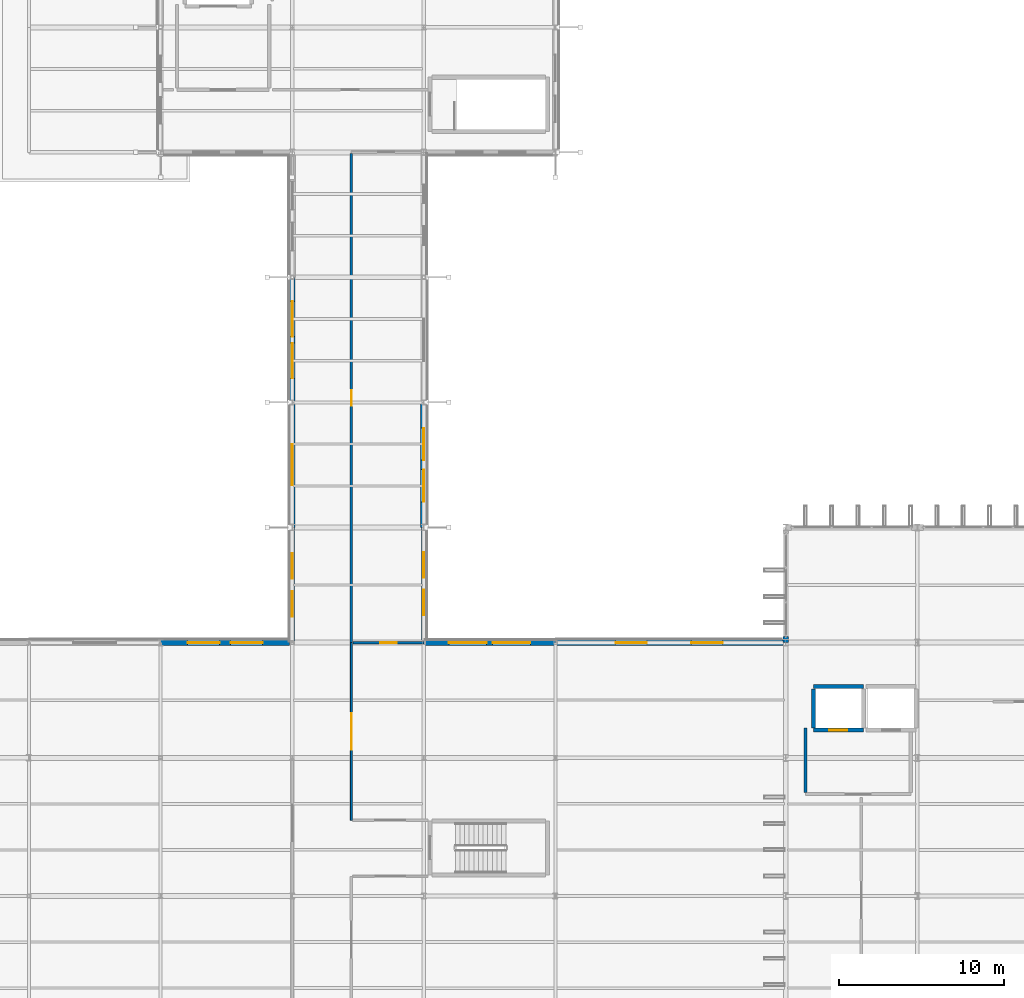
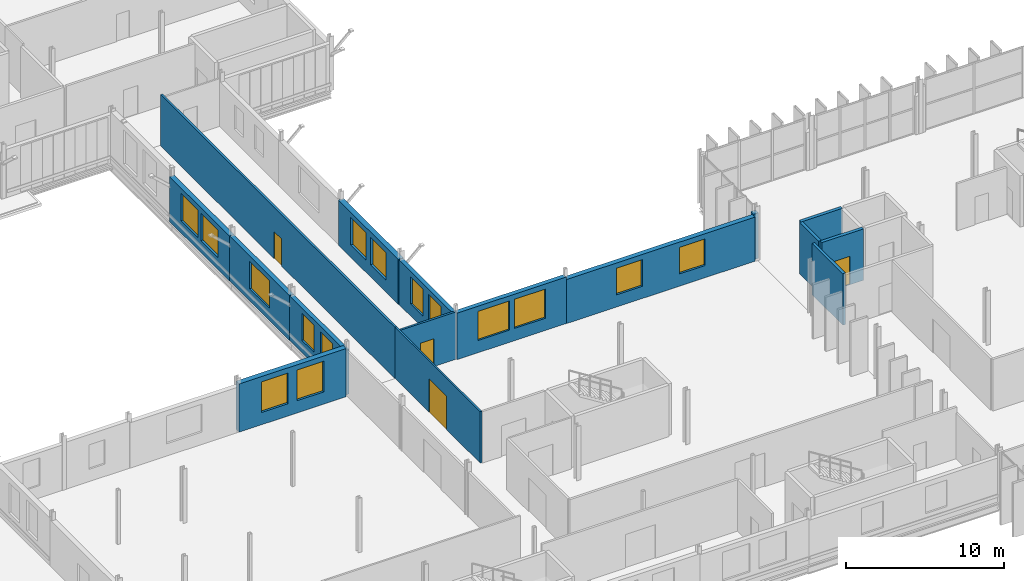
# One storey, part 80 of 101: 16 walls, 15 windows, 4 doors, 19 openings.
"""IFC4 building model written with IfcOpenShell, lengths in metres."""

from ifc_helpers import new_model, si_unit, direction, frame, frame_2d, origin, place, context, subcontext, project, spatial, rectangle, extrude, material, layer, layer_set, type_object, element, fill, save


model = new_model("IFC4")

# Units and contexts
model_context = context("Model", 3, precision=1e-05, world=origin(), true_north=direction((0.0, 1.0)))
body_context = subcontext(model_context, "Body", "Model", "MODEL_VIEW")
ifc_project = project(units=[si_unit("LENGTHUNIT", "METRE"), si_unit("AREAUNIT", "SQUARE_METRE"), si_unit("VOLUMEUNIT", "CUBIC_METRE"), si_unit("PLANEANGLEUNIT", "RADIAN"), si_unit("MASSUNIT", "GRAM", prefix="KILO")], contexts=[model_context])

# Site, building, storey
site_placement = place(None, origin())
site = spatial("IfcSite", under=ifc_project, at=site_placement, CompositionType="ELEMENT")
building_placement = place(site_placement, origin())
building = spatial("IfcBuilding", under=site, at=building_placement, Name="Vekula Escarpment Museum", CompositionType="ELEMENT")
storey_placement = place(building_placement, frame((0.0, 0.0, 18.0)))
storey = spatial("IfcBuildingStorey", under=building, at=storey_placement, Name="L04", CompositionType="ELEMENT", Elevation=18.0)

# Wall, openings, windows
ifc_material_1 = material(Name="Inkisi arkosic sandstone masonry", Category="masonry")
ifc_layer_1 = layer(ifc_material_1, 0.300048828125)
ifc_layer_set_1 = layer_set([ifc_layer_1], Name="Inkisi arkosic sandstone masonry")
wall_type_1 = type_object("IfcWallType", Name="WL-ALM-300", PredefinedType="SOLIDWALL", material=ifc_layer_set_1)
wall_1_placement = place(storey_placement, frame((48.0, 90.39990234375, 0.0), z_axis=(0.0, 0.0, 1.0), x_axis=(0.0, -1.0, 0.0)))
wall_1 = element("IfcWall", 1, at=wall_1_placement, inside=storey, type_object=wall_type_1, Name="Exterior Wall WL-EXT-L04-0779", PredefinedType="SOLIDWALL", context=body_context, shape_type="SweptSolid", body=[
    extrude(rectangle(XDim=6.8359375, YDim=0.300048828125, at=frame_2d((3.41796875, 0.0))), origin(), (0.0, 0.0, 1.0), 3.465087890625),
])
opening_1_placement = place(wall_1_placement, frame((1.503662109375, 0.0, 0.949951171875)))
opening_1 = element("IfcOpeningElement", 2, at=opening_1_placement, cuts=wall_1, Name="Opening WN-24", PredefinedType="OPENING", context=body_context, shape_type="SweptSolid", body=[
    extrude(rectangle(XDim=1.550048828125, YDim=2.10009765625, at=frame_2d((0.77490234375, 1.050048828125))), frame((0.0, 0.159912109375, 0.0), z_axis=(0.0, -1.0, 0.0), x_axis=(1.0, 0.0, 0.0)), (0.0, 0.0, 1.0), 0.320068359375),
])
opening_2_placement = place(wall_1_placement, frame((3.7822265625, 0.0, 0.949951171875)))
opening_2 = element("IfcOpeningElement", 3, at=opening_2_placement, cuts=wall_1, Name="Opening WN-24", PredefinedType="OPENING", context=body_context, shape_type="SweptSolid", body=[
    extrude(rectangle(XDim=1.550048828125, YDim=2.10009765625, at=frame_2d((0.77490234375, 1.050048828125))), frame((0.0, 0.159912109375, 0.0), z_axis=(0.0, -1.0, 0.0), x_axis=(1.0, 0.0, 0.0)), (0.0, 0.0, 1.0), 0.320068359375),
])
ifc_material_2 = material(Name="Double solar-control low-E glass", Category="glass")
window_type_1 = type_object("IfcWindowType", Name="WN-GAL-15x21", PartitioningType="SINGLE_PANEL", PredefinedType="WINDOW", material=ifc_material_2)
window_1_placement = place(opening_1_placement, origin())
window_1 = element("IfcWindow", 4, at=window_1_placement, inside=storey, type_object=window_type_1, Name="Window L04-0406", OverallHeight=2.10009765625, OverallWidth=1.550048828125, PartitioningType="SINGLE_PANEL", PredefinedType="WINDOW", context=body_context, shape_type="SweptSolid", body=[
    extrude(rectangle(XDim=1.550048828125, YDim=2.10009765625, at=frame_2d((0.77490234375, 1.050048828125))), frame((0.0, 0.030029296875, 0.0), z_axis=(0.0, -1.0, 0.0), x_axis=(1.0, 0.0, 0.0)), (0.0, 0.0, 1.0), 0.06005859375),
])
fill(opening_1, window_1)
window_2_placement = place(opening_2_placement, origin())
window_2 = element("IfcWindow", 5, at=window_2_placement, inside=storey, type_object=window_type_1, Name="Window L04-0407", OverallHeight=2.10009765625, OverallWidth=1.550048828125, PartitioningType="SINGLE_PANEL", PredefinedType="WINDOW", context=body_context, shape_type="SweptSolid", body=[
    extrude(rectangle(XDim=1.550048828125, YDim=2.10009765625, at=frame_2d((0.77490234375, 1.050048828125))), frame((0.0, 0.030029296875, 0.0), z_axis=(0.0, -1.0, 0.0), x_axis=(1.0, 0.0, 0.0)), (0.0, 0.0, 1.0), 0.06005859375),
])
fill(opening_2, window_2)

wall_2_placement = place(storey_placement, frame((40.0, 83.39990234375, 0.0), z_axis=(0.0, 0.0, 1.0), x_axis=(0.0, 1.0, 0.0)))
wall_2 = element("IfcWall", 6, at=wall_2_placement, inside=storey, type_object=wall_type_1, Name="Exterior Wall WL-EXT-L04-0799", PredefinedType="SOLIDWALL", context=body_context, shape_type="SweptSolid", body=[
    extrude(rectangle(XDim=7.0, YDim=0.300048828125, at=frame_2d((3.5, 0.0))), origin(), (0.0, 0.0, 1.0), 3.465087890625),
])
opening_3_placement = place(wall_2_placement, frame((1.558349609375, 0.0, 0.949951171875)))
opening_3 = element("IfcOpeningElement", 7, at=opening_3_placement, cuts=wall_2, Name="Opening WN-24", PredefinedType="OPENING", context=body_context, shape_type="SweptSolid", body=[
    extrude(rectangle(XDim=1.550048828125, YDim=2.10009765625, at=frame_2d((0.77490234375, 1.050048828125))), frame((0.0, 0.159912109375, 0.0), z_axis=(0.0, -1.0, 0.0), x_axis=(1.0, 0.0, 0.0)), (0.0, 0.0, 1.0), 0.320068359375),
])
opening_4_placement = place(wall_2_placement, frame((3.8916015625, 0.0, 0.949951171875)))
opening_4 = element("IfcOpeningElement", 8, at=opening_4_placement, cuts=wall_2, Name="Opening WN-24", PredefinedType="OPENING", context=body_context, shape_type="SweptSolid", body=[
    extrude(rectangle(XDim=1.550048828125, YDim=2.10009765625, at=frame_2d((0.77490234375, 1.050048828125))), frame((0.0, 0.159912109375, 0.0), z_axis=(0.0, -1.0, 0.0), x_axis=(1.0, 0.0, 0.0)), (0.0, 0.0, 1.0), 0.320068359375),
])
window_3_placement = place(opening_3_placement, origin())
window_3 = element("IfcWindow", 9, at=window_3_placement, inside=storey, type_object=window_type_1, Name="Window L04-0436", OverallHeight=2.10009765625, OverallWidth=1.550048828125, PartitioningType="SINGLE_PANEL", PredefinedType="WINDOW", context=body_context, shape_type="SweptSolid", body=[
    extrude(rectangle(XDim=1.550048828125, YDim=2.10009765625, at=frame_2d((0.77490234375, 1.050048828125))), frame((0.0, 0.030029296875, 0.0), z_axis=(0.0, -1.0, 0.0), x_axis=(1.0, 0.0, 0.0)), (0.0, 0.0, 1.0), 0.06005859375),
])
fill(opening_3, window_3)
window_4_placement = place(opening_4_placement, origin())
window_4 = element("IfcWindow", 10, at=window_4_placement, inside=storey, type_object=window_type_1, Name="Window L04-0437", OverallHeight=2.10009765625, OverallWidth=1.550048828125, PartitioningType="SINGLE_PANEL", PredefinedType="WINDOW", context=body_context, shape_type="SweptSolid", body=[
    extrude(rectangle(XDim=1.550048828125, YDim=2.10009765625, at=frame_2d((0.77490234375, 1.050048828125))), frame((0.0, 0.030029296875, 0.0), z_axis=(0.0, -1.0, 0.0), x_axis=(1.0, 0.0, 0.0)), (0.0, 0.0, 1.0), 0.06005859375),
])
fill(opening_4, window_4)

ifc_material_3 = material(Name="Inkisi arkosic sandstone masonry", Category="masonry")
ifc_layer_2 = layer(ifc_material_3, 0.320068359375)
ifc_layer_set_2 = layer_set([ifc_layer_2], Name="Inkisi arkosic sandstone masonry")
wall_type_2 = type_object("IfcWallType", Name="WL-ALM-320", PredefinedType="SOLIDWALL", material=ifc_layer_set_2)
wall_3_placement = place(storey_placement, frame((48.0, 83.39990234375, 0.0), z_axis=(0.0, 0.0, 1.0), x_axis=(1.0, 0.0, 0.0)))
wall_3 = element("IfcWall", 11, at=wall_3_placement, inside=storey, type_object=wall_type_2, Name="Exterior Wall WL-EXT-L04-0778", PredefinedType="SOLIDWALL", context=body_context, shape_type="SweptSolid", body=[
    extrude(rectangle(XDim=8.0, YDim=0.320068359375, at=frame_2d((4.0, 0.0))), origin(), (0.0, 0.0, 1.0), 3.60498046875),
])
opening_5_placement = place(wall_3_placement, frame((1.5166015625, 0.0, 0.949951171875)))
opening_5 = element("IfcOpeningElement", 12, at=opening_5_placement, cuts=wall_3, Name="Opening WN-22", PredefinedType="OPENING", context=body_context, shape_type="SweptSolid", body=[
    extrude(rectangle(XDim=2.300048828125, YDim=2.260009765625, at=frame_2d((1.14990234375, 1.1298828125))), frame((0.0, 0.169921875, 0.0), z_axis=(0.0, -1.0, 0.0), x_axis=(1.0, 0.0, 0.0)), (0.0, 0.0, 1.0), 0.340087890625),
])
opening_6_placement = place(wall_3_placement, frame((4.183349609375, 0.0, 0.949951171875)))
opening_6 = element("IfcOpeningElement", 13, at=opening_6_placement, cuts=wall_3, Name="Opening WN-22", PredefinedType="OPENING", context=body_context, shape_type="SweptSolid", body=[
    extrude(rectangle(XDim=2.300048828125, YDim=2.260009765625, at=frame_2d((1.14990234375, 1.1298828125))), frame((0.0, 0.169921875, 0.0), z_axis=(0.0, -1.0, 0.0), x_axis=(1.0, 0.0, 0.0)), (0.0, 0.0, 1.0), 0.340087890625),
])
ifc_material_4 = material(Name="Double solar-control low-E glass", Category="glass")
window_type_2 = type_object("IfcWindowType", Name="WN-GAL-23x33", PartitioningType="TRIPLE_PANEL_VERTICAL", PredefinedType="WINDOW", material=ifc_material_4)
window_5_placement = place(opening_5_placement, origin())
window_5 = element("IfcWindow", 14, at=window_5_placement, inside=storey, type_object=window_type_2, Name="Window L04-0404", OverallHeight=2.260009765625, OverallWidth=2.300048828125, PartitioningType="SINGLE_PANEL", PredefinedType="WINDOW", context=body_context, shape_type="SweptSolid", body=[
    extrude(rectangle(XDim=2.300048828125, YDim=2.260009765625, at=frame_2d((1.14990234375, 1.1298828125))), frame((0.0, 0.030029296875, 0.0), z_axis=(0.0, -1.0, 0.0), x_axis=(1.0, 0.0, 0.0)), (0.0, 0.0, 1.0), 0.06005859375),
])
fill(opening_5, window_5)
window_6_placement = place(opening_6_placement, origin())
window_6 = element("IfcWindow", 15, at=window_6_placement, inside=storey, type_object=window_type_2, Name="Window L04-0405", OverallHeight=2.260009765625, OverallWidth=2.300048828125, PartitioningType="SINGLE_PANEL", PredefinedType="WINDOW", context=body_context, shape_type="SweptSolid", body=[
    extrude(rectangle(XDim=2.300048828125, YDim=2.260009765625, at=frame_2d((1.14990234375, 1.1298828125))), frame((0.0, 0.030029296875, 0.0), z_axis=(0.0, -1.0, 0.0), x_axis=(1.0, 0.0, 0.0)), (0.0, 0.0, 1.0), 0.06005859375),
])
fill(opening_6, window_6)

# Wall, opening, window
wall_4_placement = place(storey_placement, frame((40.0, 90.39990234375, 0.0), z_axis=(0.0, 0.0, 1.0), x_axis=(0.0, 1.0, 0.0)))
wall_4 = element("IfcWall", 16, at=wall_4_placement, inside=storey, type_object=wall_type_2, Name="Exterior Wall WL-EXT-L04-0798", PredefinedType="SOLIDWALL", context=body_context, shape_type="SweptSolid", body=[
    extrude(rectangle(XDim=7.60009765625, YDim=0.320068359375, at=frame_2d((3.800048828125, 0.0))), origin(), (0.0, 0.0, 1.0), 3.485107421875),
])
opening_7_placement = place(wall_4_placement, frame((2.550048828125, 0.0, 0.949951171875)))
opening_7 = element("IfcOpeningElement", 17, at=opening_7_placement, cuts=wall_4, Name="Opening WN-23", PredefinedType="OPENING", context=body_context, shape_type="SweptSolid", body=[
    extrude(rectangle(XDim=2.5, YDim=2.1298828125, at=frame_2d((1.25, 1.06494140625))), frame((0.0, 0.169921875, 0.0), z_axis=(0.0, -1.0, 0.0), x_axis=(1.0, 0.0, 0.0)), (0.0, 0.0, 1.0), 0.340087890625),
])
ifc_material_5 = material(Name="Double solar-control low-E glass", Category="glass")
window_type_3 = type_object("IfcWindowType", Name="WN-GAL-25x35", PartitioningType="TRIPLE_PANEL_VERTICAL", PredefinedType="WINDOW", material=ifc_material_5)
window_7_placement = place(opening_7_placement, origin())
window_7 = element("IfcWindow", 18, at=window_7_placement, inside=storey, type_object=window_type_3, Name="Window L04-0435", OverallHeight=2.1298828125, OverallWidth=2.5, PartitioningType="SINGLE_PANEL", PredefinedType="WINDOW", context=body_context, shape_type="SweptSolid", body=[
    extrude(rectangle(XDim=2.5, YDim=2.1298828125, at=frame_2d((1.25, 1.06494140625))), frame((0.0, 0.030029296875, 0.0), z_axis=(0.0, -1.0, 0.0), x_axis=(1.0, 0.0, 0.0)), (0.0, 0.0, 1.0), 0.06005859375),
])
fill(opening_7, window_7)

# Wall
ifc_material_6 = material(Name="Inkisi arkosic sandstone masonry", Category="masonry")
ifc_layer_3 = layer(ifc_material_6, 0.35009765625)
ifc_layer_set_3 = layer_set([ifc_layer_3], Name="Inkisi arkosic sandstone masonry")
wall_type_3 = type_object("IfcWallType", Name="WL-ALM-350", PredefinedType="SOLIDWALL", material=ifc_layer_set_3)
wall_5_placement = place(storey_placement, frame((70.0, 83.760009765625, 0.0), z_axis=(0.0, 0.0, 1.0), x_axis=(0.0, -1.0, 0.0)))
element("IfcWall", 19, at=wall_5_placement, inside=storey, type_object=wall_type_3, Name="Facade Jamb Pier L04-0776B", PredefinedType="SOLIDWALL", context=body_context, shape_type="SweptSolid", body=[
    extrude(rectangle(XDim=0.360107421875, YDim=0.35009765625, at=frame_2d((0.18017578125, 0.0))), origin(), (0.0, 0.0, 1.0), 3.52490234375),
])

# Wall, openings, windows
wall_6_placement = place(storey_placement, frame((56.0, 83.39990234375, 0.0), z_axis=(0.0, 0.0, 1.0), x_axis=(1.0, 0.0, 0.0)))
wall_6 = element("IfcWall", 20, at=wall_6_placement, inside=storey, type_object=wall_type_3, Name="Exterior Wall WL-EXT-L04-0777", PredefinedType="SOLIDWALL", context=body_context, shape_type="SweptSolid", body=[
    extrude(rectangle(XDim=13.821044921875, YDim=0.35009765625, at=frame_2d((6.91064453125, 0.0))), origin(), (0.0, 0.0, 1.0), 3.4150390625),
])
opening_8_placement = place(wall_6_placement, frame((3.656982421875, 0.0, 0.949951171875)))
opening_8 = element("IfcOpeningElement", 21, at=opening_8_placement, cuts=wall_6, Name="Opening WN-20", PredefinedType="OPENING", context=body_context, shape_type="SweptSolid", body=[
    extrude(rectangle(XDim=1.89990234375, YDim=2.06005859375, at=frame_2d((0.949951171875, 1.030029296875))), frame((0.0, 0.18505859375, 0.0), z_axis=(0.0, -1.0, 0.0), x_axis=(1.0, 0.0, 0.0)), (0.0, 0.0, 1.0), 0.3701171875),
])
opening_9_placement = place(wall_6_placement, frame((8.263916015625, 0.0, 0.949951171875)))
opening_9 = element("IfcOpeningElement", 22, at=opening_9_placement, cuts=wall_6, Name="Opening WN-20", PredefinedType="OPENING", context=body_context, shape_type="SweptSolid", body=[
    extrude(rectangle(XDim=1.89990234375, YDim=2.06005859375, at=frame_2d((0.949951171875, 1.030029296875))), frame((0.0, 0.18505859375, 0.0), z_axis=(0.0, -1.0, 0.0), x_axis=(1.0, 0.0, 0.0)), (0.0, 0.0, 1.0), 0.3701171875),
])
ifc_material_7 = material(Name="Double solar-control low-E glass", Category="glass")
window_type_4 = type_object("IfcWindowType", Name="WN-GAL-19x29", PartitioningType="DOUBLE_PANEL_VERTICAL", PredefinedType="WINDOW", material=ifc_material_7)
window_8_placement = place(opening_8_placement, origin())
window_8 = element("IfcWindow", 23, at=window_8_placement, inside=storey, type_object=window_type_4, Name="Window L04-0402", OverallHeight=2.06005859375, OverallWidth=1.89990234375, PartitioningType="SINGLE_PANEL", PredefinedType="WINDOW", context=body_context, shape_type="SweptSolid", body=[
    extrude(rectangle(XDim=1.89990234375, YDim=2.06005859375, at=frame_2d((0.949951171875, 1.030029296875))), frame((0.0, 0.030029296875, 0.0), z_axis=(0.0, -1.0, 0.0), x_axis=(1.0, 0.0, 0.0)), (0.0, 0.0, 1.0), 0.06005859375),
])
fill(opening_8, window_8)
window_9_placement = place(opening_9_placement, origin())
window_9 = element("IfcWindow", 24, at=window_9_placement, inside=storey, type_object=window_type_4, Name="Window L04-0403", OverallHeight=2.06005859375, OverallWidth=1.89990234375, PartitioningType="SINGLE_PANEL", PredefinedType="WINDOW", context=body_context, shape_type="SweptSolid", body=[
    extrude(rectangle(XDim=1.89990234375, YDim=2.06005859375, at=frame_2d((0.949951171875, 1.030029296875))), frame((0.0, 0.030029296875, 0.0), z_axis=(0.0, -1.0, 0.0), x_axis=(1.0, 0.0, 0.0)), (0.0, 0.0, 1.0), 0.06005859375),
])
fill(opening_9, window_9)

wall_7_placement = place(storey_placement, frame((40.0, 98.0, 0.0), z_axis=(0.0, 0.0, 1.0), x_axis=(0.0, 1.0, 0.0)))
wall_7 = element("IfcWall", 25, at=wall_7_placement, inside=storey, type_object=wall_type_3, Name="Exterior Wall WL-EXT-L04-0797", PredefinedType="SOLIDWALL", context=body_context, shape_type="SweptSolid", body=[
    extrude(rectangle(XDim=7.60009765625, YDim=0.35009765625, at=frame_2d((3.800048828125, 0.0))), origin(), (0.0, 0.0, 1.0), 3.485107421875),
])
opening_10_placement = place(wall_7_placement, frame((1.458251953125, 0.0, 0.949951171875)))
opening_10 = element("IfcOpeningElement", 26, at=opening_10_placement, cuts=wall_7, Name="Opening WN-21", PredefinedType="OPENING", context=body_context, shape_type="SweptSolid", body=[
    extrude(rectangle(XDim=2.14990234375, YDim=2.1298828125, at=frame_2d((1.074951171875, 1.06494140625))), frame((0.0, 0.18505859375, 0.0), z_axis=(0.0, -1.0, 0.0), x_axis=(1.0, 0.0, 0.0)), (0.0, 0.0, 1.0), 0.3701171875),
])
opening_11_placement = place(wall_7_placement, frame((3.99169921875, 0.0, 0.949951171875)))
opening_11 = element("IfcOpeningElement", 27, at=opening_11_placement, cuts=wall_7, Name="Opening WN-21", PredefinedType="OPENING", context=body_context, shape_type="SweptSolid", body=[
    extrude(rectangle(XDim=2.14990234375, YDim=2.1298828125, at=frame_2d((1.074951171875, 1.06494140625))), frame((0.0, 0.18505859375, 0.0), z_axis=(0.0, -1.0, 0.0), x_axis=(1.0, 0.0, 0.0)), (0.0, 0.0, 1.0), 0.3701171875),
])
ifc_material_8 = material(Name="Double solar-control low-E glass", Category="glass")
window_type_5 = type_object("IfcWindowType", Name="WN-GAL-21x31", PartitioningType="DOUBLE_PANEL_VERTICAL", PredefinedType="WINDOW", material=ifc_material_8)
window_10_placement = place(opening_10_placement, origin())
window_10 = element("IfcWindow", 28, at=window_10_placement, inside=storey, type_object=window_type_5, Name="Window L04-0433", OverallHeight=2.1298828125, OverallWidth=2.14990234375, PartitioningType="SINGLE_PANEL", PredefinedType="WINDOW", context=body_context, shape_type="SweptSolid", body=[
    extrude(rectangle(XDim=2.14990234375, YDim=2.1298828125, at=frame_2d((1.074951171875, 1.06494140625))), frame((0.0, 0.030029296875, 0.0), z_axis=(0.0, -1.0, 0.0), x_axis=(1.0, 0.0, 0.0)), (0.0, 0.0, 1.0), 0.06005859375),
])
fill(opening_10, window_10)
window_11_placement = place(opening_11_placement, origin())
window_11 = element("IfcWindow", 29, at=window_11_placement, inside=storey, type_object=window_type_5, Name="Window L04-0434", OverallHeight=2.1298828125, OverallWidth=2.14990234375, PartitioningType="SINGLE_PANEL", PredefinedType="WINDOW", context=body_context, shape_type="SweptSolid", body=[
    extrude(rectangle(XDim=2.14990234375, YDim=2.1298828125, at=frame_2d((1.074951171875, 1.06494140625))), frame((0.0, 0.030029296875, 0.0), z_axis=(0.0, -1.0, 0.0), x_axis=(1.0, 0.0, 0.0)), (0.0, 0.0, 1.0), 0.06005859375),
])
fill(opening_11, window_11)

ifc_material_9 = material(Name="Inkisi arkosic sandstone masonry", Category="masonry")
ifc_layer_4 = layer(ifc_material_9, 0.3798828125)
ifc_layer_set_4 = layer_set([ifc_layer_4], Name="Inkisi arkosic sandstone masonry")
wall_type_4 = type_object("IfcWallType", Name="WL-ALM-380", PredefinedType="SOLIDWALL", material=ifc_layer_set_4)
wall_8_placement = place(storey_placement, frame((48.0, 98.0, 0.0), z_axis=(0.0, 0.0, 1.0), x_axis=(0.0, -1.0, 0.0)))
wall_8 = element("IfcWall", 30, at=wall_8_placement, inside=storey, type_object=wall_type_4, Name="Exterior Wall WL-EXT-L04-0780", PredefinedType="SOLIDWALL", context=body_context, shape_type="SweptSolid", body=[
    extrude(rectangle(XDim=7.60009765625, YDim=0.3798828125, at=frame_2d((3.800048828125, 0.0))), origin(), (0.0, 0.0, 1.0), 3.485107421875),
])
opening_12_placement = place(wall_8_placement, frame((1.558349609375, 0.0, 0.949951171875)))
opening_12 = element("IfcOpeningElement", 31, at=opening_12_placement, cuts=wall_8, Name="Opening WN-26", PredefinedType="OPENING", context=body_context, shape_type="SweptSolid", body=[
    extrude(rectangle(XDim=1.949951171875, YDim=2.1298828125, at=frame_2d((0.97509765625, 1.06494140625))), frame((0.0, 0.199951171875, 0.0), z_axis=(0.0, -1.0, 0.0), x_axis=(1.0, 0.0, 0.0)), (0.0, 0.0, 1.0), 0.39990234375),
])
opening_13_placement = place(wall_8_placement, frame((4.091796875, 0.0, 0.949951171875)))
opening_13 = element("IfcOpeningElement", 32, at=opening_13_placement, cuts=wall_8, Name="Opening WN-26", PredefinedType="OPENING", context=body_context, shape_type="SweptSolid", body=[
    extrude(rectangle(XDim=1.949951171875, YDim=2.1298828125, at=frame_2d((0.97509765625, 1.06494140625))), frame((0.0, 0.199951171875, 0.0), z_axis=(0.0, -1.0, 0.0), x_axis=(1.0, 0.0, 0.0)), (0.0, 0.0, 1.0), 0.39990234375),
])
ifc_material_10 = material(Name="Double solar-control low-E glass", Category="glass")
window_type_6 = type_object("IfcWindowType", Name="WN-GAL-19x25", PartitioningType="DOUBLE_PANEL_VERTICAL", PredefinedType="WINDOW", material=ifc_material_10)
window_12_placement = place(opening_12_placement, origin())
window_12 = element("IfcWindow", 33, at=window_12_placement, inside=storey, type_object=window_type_6, Name="Window L04-0408", OverallHeight=2.1298828125, OverallWidth=1.949951171875, PartitioningType="SINGLE_PANEL", PredefinedType="WINDOW", context=body_context, shape_type="SweptSolid", body=[
    extrude(rectangle(XDim=1.949951171875, YDim=2.1298828125, at=frame_2d((0.97509765625, 1.06494140625))), frame((0.0, 0.030029296875, 0.0), z_axis=(0.0, -1.0, 0.0), x_axis=(1.0, 0.0, 0.0)), (0.0, 0.0, 1.0), 0.06005859375),
])
fill(opening_12, window_12)
window_13_placement = place(opening_13_placement, origin())
window_13 = element("IfcWindow", 34, at=window_13_placement, inside=storey, type_object=window_type_6, Name="Window L04-0409", OverallHeight=2.1298828125, OverallWidth=1.949951171875, PartitioningType="SINGLE_PANEL", PredefinedType="WINDOW", context=body_context, shape_type="SweptSolid", body=[
    extrude(rectangle(XDim=1.949951171875, YDim=2.1298828125, at=frame_2d((0.97509765625, 1.06494140625))), frame((0.0, 0.030029296875, 0.0), z_axis=(0.0, -1.0, 0.0), x_axis=(1.0, 0.0, 0.0)), (0.0, 0.0, 1.0), 0.06005859375),
])
fill(opening_13, window_13)

wall_9_placement = place(storey_placement, frame((32.0, 83.39990234375, 0.0), z_axis=(0.0, 0.0, 1.0), x_axis=(1.0, 0.0, 0.0)))
wall_9 = element("IfcWall", 35, at=wall_9_placement, inside=storey, type_object=wall_type_4, Name="Exterior Wall WL-EXT-L04-0800", PredefinedType="SOLIDWALL", context=body_context, shape_type="SweptSolid", body=[
    extrude(rectangle(XDim=7.845947265625, YDim=0.3798828125, at=frame_2d((3.9228515625, 0.0))), origin(), (0.0, 0.0, 1.0), 3.735107421875),
])
opening_14_placement = place(wall_9_placement, frame((1.640380859375, 0.0, 0.949951171875)))
opening_14 = element("IfcOpeningElement", 36, at=opening_14_placement, cuts=wall_9, Name="Opening WN-26", PredefinedType="OPENING", context=body_context, shape_type="SweptSolid", body=[
    extrude(rectangle(XDim=1.949951171875, YDim=2.3798828125, at=frame_2d((0.97509765625, 1.18994140625))), frame((0.0, 0.199951171875, 0.0), z_axis=(0.0, -1.0, 0.0), x_axis=(1.0, 0.0, 0.0)), (0.0, 0.0, 1.0), 0.39990234375),
])
opening_15_placement = place(wall_9_placement, frame((4.255615234375, 0.0, 0.949951171875)))
opening_15 = element("IfcOpeningElement", 37, at=opening_15_placement, cuts=wall_9, Name="Opening WN-26", PredefinedType="OPENING", context=body_context, shape_type="SweptSolid", body=[
    extrude(rectangle(XDim=1.949951171875, YDim=2.3798828125, at=frame_2d((0.97509765625, 1.18994140625))), frame((0.0, 0.199951171875, 0.0), z_axis=(0.0, -1.0, 0.0), x_axis=(1.0, 0.0, 0.0)), (0.0, 0.0, 1.0), 0.39990234375),
])
window_14_placement = place(opening_14_placement, origin())
window_14 = element("IfcWindow", 38, at=window_14_placement, inside=storey, type_object=window_type_6, Name="Window L04-0438", OverallHeight=2.3798828125, OverallWidth=1.949951171875, PartitioningType="SINGLE_PANEL", PredefinedType="WINDOW", context=body_context, shape_type="SweptSolid", body=[
    extrude(rectangle(XDim=1.949951171875, YDim=2.3798828125, at=frame_2d((0.97509765625, 1.18994140625))), frame((0.0, 0.030029296875, 0.0), z_axis=(0.0, -1.0, 0.0), x_axis=(1.0, 0.0, 0.0)), (0.0, 0.0, 1.0), 0.06005859375),
])
fill(opening_14, window_14)
window_15_placement = place(opening_15_placement, origin())
window_15 = element("IfcWindow", 39, at=window_15_placement, inside=storey, type_object=window_type_6, Name="Window L04-0439", OverallHeight=2.3798828125, OverallWidth=1.949951171875, PartitioningType="SINGLE_PANEL", PredefinedType="WINDOW", context=body_context, shape_type="SweptSolid", body=[
    extrude(rectangle(XDim=1.949951171875, YDim=2.3798828125, at=frame_2d((0.97509765625, 1.18994140625))), frame((0.0, 0.030029296875, 0.0), z_axis=(0.0, -1.0, 0.0), x_axis=(1.0, 0.0, 0.0)), (0.0, 0.0, 1.0), 0.06005859375),
])
fill(opening_15, window_15)

# Wall
ifc_material_11 = material(Name="Concrete C35/45", Category="concrete")
ifc_layer_5 = layer(ifc_material_11, 0.199951171875)
ifc_layer_set_5 = layer_set([ifc_layer_5], Name="Concrete C35/45")
wall_type_5 = type_object("IfcWallType", Name="WL-FFL-200", PredefinedType="PARTITIONING", material=ifc_layer_set_5)
wall_10_placement = place(storey_placement, frame((71.199951171875, 74.303955078125, 0.0), z_axis=(0.0, 0.0, 1.0), x_axis=(0.0, 1.0, 0.0)))
element("IfcWall", 40, at=wall_10_placement, inside=storey, type_object=wall_type_5, Name="Lift Lobby Wall LP-01 L04 W", PredefinedType="PARTITIONING", context=body_context, shape_type="SweptSolid", body=[
    extrude(rectangle(XDim=3.89599609375, YDim=0.199951171875, at=frame_2d((1.947998046875, 0.0))), origin(), (0.0, 0.0, 1.0), 3.97998046875),
])

# Wall, opening, door
ifc_material_12 = material(Name="Lightweight studio partition", Category="gypsum")
ifc_layer_6 = layer(ifc_material_12, 0.1201171875)
ifc_layer_set_6 = layer_set([ifc_layer_6], Name="Lightweight studio partition")
wall_type_6 = type_object("IfcWallType", Name="WL-PART-120", PredefinedType="PARTITIONING", material=ifc_layer_set_6)
wall_11_placement = place(storey_placement, frame((43.60009765625, 72.60009765625, 0.0), z_axis=(0.0, 0.0, 1.0), x_axis=(0.0, 1.0, 0.0)))
wall_11 = element("IfcWall", 41, at=wall_11_placement, inside=storey, type_object=wall_type_6, Name="Interior Partition WL-INT-L04-0015", PredefinedType="PARTITIONING", context=body_context, shape_type="SweptSolid", body=[
    extrude(rectangle(XDim=10.7998046875, YDim=0.1201171875, at=frame_2d((5.39990234375, 0.0))), origin(), (0.0, 0.0, 1.0), 3.97998046875),
])
opening_16_placement = place(wall_11_placement, frame((4.300048828125, 0.0, 0.0)))
opening_16 = element("IfcOpeningElement", 42, at=opening_16_placement, cuts=wall_11, Name="Opening DR-GL22", PredefinedType="OPENING", context=body_context, shape_type="SweptSolid", body=[
    extrude(rectangle(XDim=2.199951171875, YDim=2.60009765625, at=frame_2d((1.10009765625, 1.300048828125))), frame((0.0, 0.070068359375, 0.0), z_axis=(0.0, -1.0, 0.0), x_axis=(1.0, 0.0, 0.0)), (0.0, 0.0, 1.0), 0.14013671875),
])
ifc_material_13 = material(Name="Double acoustic timber gallery door", Category="wood")
door_type_1 = type_object("IfcDoorType", Name="DR-GAL-2200x2600", OperationType="NOTDEFINED", PredefinedType="DOOR", material=ifc_material_13)
door_1_placement = place(opening_16_placement, origin())
door_1 = element("IfcDoor", 43, at=door_1_placement, inside=storey, type_object=door_type_1, Name="Interior Door L04-013", OperationType="SINGLE_SWING_LEFT", OverallHeight=2.60009765625, OverallWidth=2.199951171875, PredefinedType="DOOR", context=body_context, shape_type="SweptSolid", body=[
    extrude(rectangle(XDim=2.199951171875, YDim=2.60009765625, at=frame_2d((1.10009765625, 1.300048828125))), frame((0.0, 0.02490234375, 0.0), z_axis=(0.0, -1.0, 0.0), x_axis=(1.0, 0.0, 0.0)), (0.0, 0.0, 1.0), 0.050048828125),
])
fill(opening_16, door_1)

ifc_material_14 = material(Name="Gypsum board dry-lined partition", Category="gypsum")
ifc_layer_7 = layer(ifc_material_14, 0.14990234375)
ifc_layer_set_7 = layer_set([ifc_layer_7], Name="Gypsum board dry-lined partition")
wall_type_7 = type_object("IfcWallType", Name="WL-PART-150", PredefinedType="PARTITIONING", material=ifc_layer_set_7)
wall_12_placement = place(storey_placement, frame((43.68408203125, 83.39990234375, 0.0), z_axis=(0.0, 0.0, 1.0), x_axis=(1.0, 0.0, 0.0)))
wall_12 = element("IfcWall", 44, at=wall_12_placement, inside=storey, type_object=wall_type_7, Name="Interior Partition WL-INT-L04-0008", PredefinedType="PARTITIONING", context=body_context, shape_type="SweptSolid", body=[
    extrude(rectangle(XDim=4.31591796875, YDim=0.14990234375, at=frame_2d((2.157958984375, 0.0))), origin(), (0.0, 0.0, 1.0), 3.6650390625),
])
opening_17_placement = place(wall_12_placement, frame((1.657958984375, 0.0, 0.0)))
opening_17 = element("IfcOpeningElement", 45, at=opening_17_placement, cuts=wall_12, Name="Opening DR-OF10", PredefinedType="OPENING", context=body_context, shape_type="SweptSolid", body=[
    extrude(rectangle(XDim=1.0, YDim=2.14990234375, at=frame_2d((0.5, 1.074951171875))), frame((0.0, 0.0849609375, 0.0), z_axis=(0.0, -1.0, 0.0), x_axis=(1.0, 0.0, 0.0)), (0.0, 0.0, 1.0), 0.169921875),
])
ifc_material_15 = material(Name="Solid core timber study door", Category="wood")
door_type_2 = type_object("IfcDoorType", Name="DR-OFF-1000x2150", OperationType="NOTDEFINED", PredefinedType="DOOR", material=ifc_material_15)
door_2_placement = place(opening_17_placement, origin())
door_2 = element("IfcDoor", 46, at=door_2_placement, inside=storey, type_object=door_type_2, Name="Interior Door L04-006", OperationType="SINGLE_SWING_RIGHT", OverallHeight=2.14990234375, OverallWidth=1.0, PredefinedType="DOOR", context=body_context, shape_type="SweptSolid", body=[
    extrude(rectangle(XDim=1.0, YDim=2.14990234375, at=frame_2d((0.5, 1.074951171875))), frame((0.0, 0.02490234375, 0.0), z_axis=(0.0, -1.0, 0.0), x_axis=(1.0, 0.0, 0.0)), (0.0, 0.0, 1.0), 0.050048828125),
])
fill(opening_17, door_2)

ifc_material_16 = material(Name="Gypsum board gallery partition", Category="gypsum")
ifc_layer_8 = layer(ifc_material_16, 0.159912109375)
ifc_layer_set_8 = layer_set([ifc_layer_8], Name="Gypsum board gallery partition")
wall_type_8 = type_object("IfcWallType", Name="WL-PART-160", PredefinedType="PARTITIONING", material=ifc_layer_set_8)
wall_13_placement = place(storey_placement, frame((43.60009765625, 83.39990234375, 0.0), z_axis=(0.0, 0.0, 1.0), x_axis=(0.0, 1.0, 0.0)))
wall_13 = element("IfcWall", 47, at=wall_13_placement, inside=storey, type_object=wall_type_8, Name="Interior Partition WL-INT-L04-0007", PredefinedType="PARTITIONING", context=body_context, shape_type="SweptSolid", body=[
    extrude(rectangle(XDim=29.736083984375, YDim=0.159912109375, at=frame_2d((14.8681640625, 0.0))), origin(), (0.0, 0.0, 1.0), 3.97998046875),
])
opening_18_placement = place(wall_13_placement, frame((14.39306640625, 0.0, 0.0)))
opening_18 = element("IfcOpeningElement", 48, at=opening_18_placement, cuts=wall_13, Name="Opening DR-OF09", PredefinedType="OPENING", context=body_context, shape_type="SweptSolid", body=[
    extrude(rectangle(XDim=0.949951171875, YDim=2.10009765625, at=frame_2d((0.47509765625, 1.050048828125))), frame((0.0, 0.08984375, 0.0), z_axis=(0.0, -1.0, 0.0), x_axis=(1.0, 0.0, 0.0)), (0.0, 0.0, 1.0), 0.179931640625),
])
ifc_material_17 = material(Name="Solid core timber office door", Category="wood")
door_type_3 = type_object("IfcDoorType", Name="DR-OFF-0950x2100", OperationType="NOTDEFINED", PredefinedType="DOOR", material=ifc_material_17)
door_3_placement = place(opening_18_placement, origin())
door_3 = element("IfcDoor", 49, at=door_3_placement, inside=storey, type_object=door_type_3, Name="Interior Door L04-005", OperationType="SINGLE_SWING_LEFT", OverallHeight=2.10009765625, OverallWidth=0.949951171875, PredefinedType="DOOR", context=body_context, shape_type="SweptSolid", body=[
    extrude(rectangle(XDim=0.949951171875, YDim=2.10009765625, at=frame_2d((0.47509765625, 1.050048828125))), frame((0.0, 0.02490234375, 0.0), z_axis=(0.0, -1.0, 0.0), x_axis=(1.0, 0.0, 0.0)), (0.0, 0.0, 1.0), 0.050048828125),
])
fill(opening_18, door_3)

ifc_material_18 = material(Name="Concrete C35/45", Category="concrete")
ifc_layer_9 = layer(ifc_material_18, 0.239990234375)
ifc_layer_set_9 = layer_set([ifc_layer_9], Name="Concrete C35/45")
wall_type_9 = type_object("IfcWallType", Name="WL-SHF-240", PredefinedType="SHEAR", material=ifc_layer_set_9)
wall_14_placement = place(storey_placement, frame((71.679931640625, 78.080078125, 0.0), z_axis=(0.0, 0.0, 1.0), x_axis=(1.0, 0.0, 0.0)))
wall_14 = element("IfcWall", 50, at=wall_14_placement, inside=storey, type_object=wall_type_9, Name="Lift Shaft Wall LP-01 L04 S", PredefinedType="SHEAR", context=body_context, shape_type="SweptSolid", body=[
    extrude(rectangle(XDim=3.0400390625, YDim=0.239990234375, at=frame_2d((1.52001953125, 0.0))), origin(), (0.0, 0.0, 1.0), 3.97998046875),
])
opening_19_placement = place(wall_14_placement, frame((0.969970703125, 0.0, 0.0)))
opening_19 = element("IfcOpeningElement", 51, at=opening_19_placement, cuts=wall_14, Name="Opening LD-PAX", PredefinedType="OPENING", context=body_context, shape_type="SweptSolid", body=[
    extrude(rectangle(XDim=1.10009765625, YDim=2.199951171875, at=frame_2d((0.550048828125, 1.10009765625))), frame((0.0, 0.1298828125, 0.0), z_axis=(0.0, -1.0, 0.0), x_axis=(1.0, 0.0, 0.0)), (0.0, 0.0, 1.0), 0.260009765625),
])
ifc_material_19 = material(Name="Brushed stainless steel sliding lift landing door", Category="steel")
door_type_4 = type_object("IfcDoorType", Name="DR-LD-PAX-1100", OperationType="DOUBLE_DOOR_SLIDING", PredefinedType="DOOR", material=ifc_material_19)
door_4_placement = place(opening_19_placement, origin())
door_4 = element("IfcDoor", 52, at=door_4_placement, inside=storey, type_object=door_type_4, Name="Sliding Lift Landing Door LP-01 L04", OperationType="DOUBLE_DOOR_SLIDING", OverallHeight=2.199951171875, OverallWidth=1.10009765625, PredefinedType="DOOR", context=body_context, shape_type="SweptSolid", body=[
    extrude(rectangle(XDim=1.10009765625, YDim=2.199951171875, at=frame_2d((0.550048828125, 1.10009765625))), frame((0.0, 0.02490234375, 0.0), z_axis=(0.0, -1.0, 0.0), x_axis=(1.0, 0.0, 0.0)), (0.0, 0.0, 1.0), 0.050048828125),
])
fill(opening_19, door_4)

# Walls
wall_15_placement = place(storey_placement, frame((71.679931640625, 80.719970703125, 0.0), z_axis=(0.0, 0.0, 1.0), x_axis=(1.0, 0.0, 0.0)))
element("IfcWall", 53, at=wall_15_placement, inside=storey, type_object=wall_type_9, Name="Lift Shaft Wall LP-01 L04 N", PredefinedType="SHEAR", context=body_context, shape_type="SweptSolid", body=[
    extrude(rectangle(XDim=3.0400390625, YDim=0.239990234375, at=frame_2d((1.52001953125, 0.0))), origin(), (0.0, 0.0, 1.0), 3.97998046875),
])
wall_16_placement = place(storey_placement, frame((71.679931640625, 78.2041015625, 0.0), z_axis=(0.0, 0.0, 1.0), x_axis=(0.0, 1.0, 0.0)))
element("IfcWall", 54, at=wall_16_placement, inside=storey, type_object=wall_type_9, Name="Lift Shaft Wall LP-01 L04 W", PredefinedType="SHEAR", context=body_context, shape_type="SweptSolid", body=[
    extrude(rectangle(XDim=2.391845703125, YDim=0.239990234375, at=frame_2d((1.19580078125, 0.0))), origin(), (0.0, 0.0, 1.0), 3.97998046875),
])

save(model, "model.ifc")
